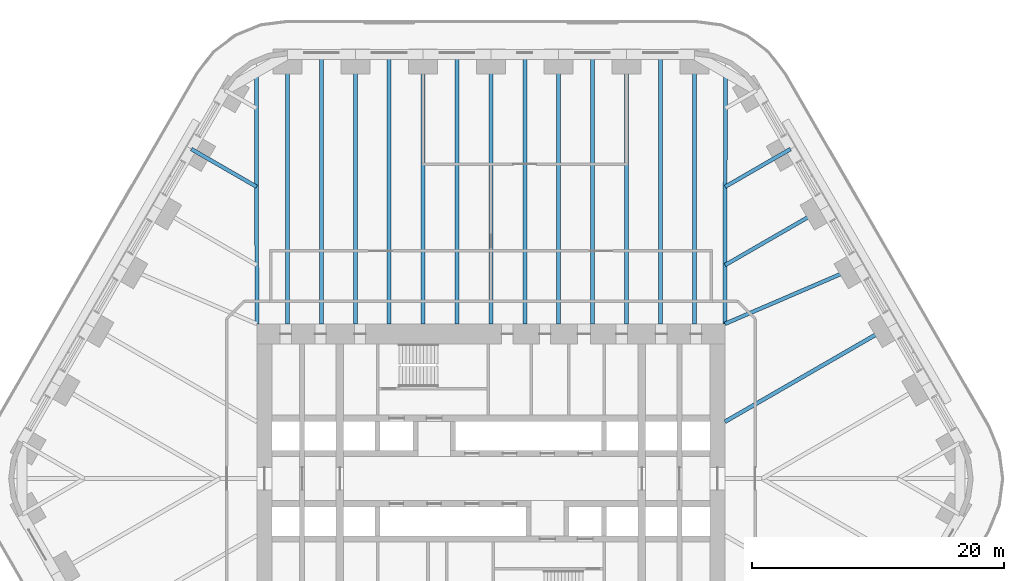
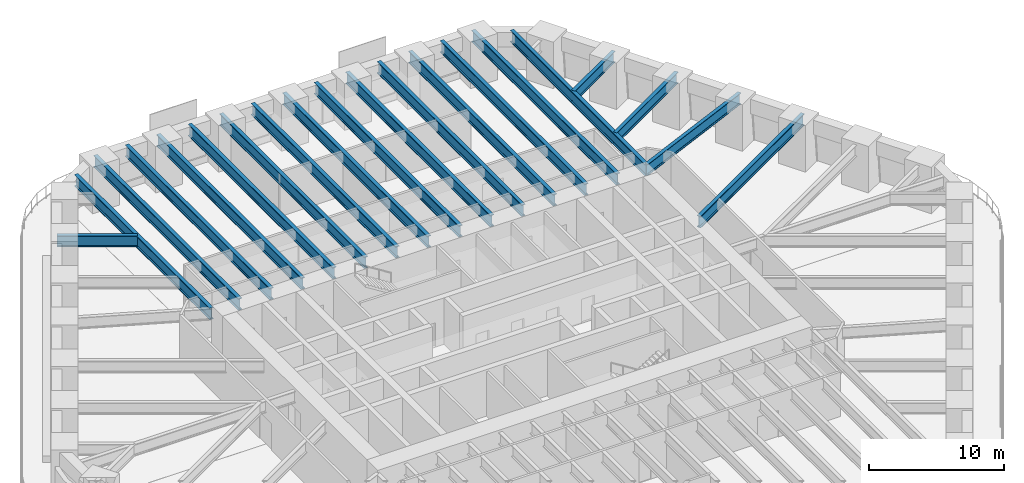
# One storey, part 10 of 23: 20 beams.
"""IFC4 building model written with IfcOpenShell, lengths in metres."""

import ifcopenshell
import ifcopenshell.guid

model = None  # the IFC model being written
_history = None  # IfcOwnerHistory: only IFC2X3 demands one
_inside = {}  # id of a spatial element -> (the spatial element, [elements in it])
_under = {}  # id of a project, library or spatial element -> (it, [spatial elements below it])
_declared = {}  # id of a project -> (the project, [libraries it declares])
_typed = {}  # id of a type object -> (the type object, [elements of that type])
_made_of = {}  # id of a material, layer set ... -> (it, [elements and type objects made of it])


def new_model(schema):
    """Start an empty IFC model of exactly this schema.

    Asked for "IFC4X3", IfcOpenShell would pick the latest addendum, in which some entities
    have other attributes; the version numbers below select the first issue.
    IFC2X3 requires an IfcOwnerHistory on every rooted entity: one is made here for all.
    """
    global model, _history
    if schema == "IFC4X3":
        model = ifcopenshell.file(schema_version=(4, 3, 0, 0))
    else:
        model = ifcopenshell.file(schema=schema)
    _inside.clear()
    _under.clear()
    _declared.clear()
    _typed.clear()
    _made_of.clear()
    _history = None
    if model.schema == "IFC2X3":
        org = make("IfcOrganization", Name="unknown")
        user = make(
            "IfcPersonAndOrganization",
            ThePerson=make("IfcPerson", FamilyName="unknown"),
            TheOrganization=org,
        )
        app = make(
            "IfcApplication",
            ApplicationDeveloper=org,
            Version="unknown",
            ApplicationFullName="unknown",
            ApplicationIdentifier="unknown",
        )
        _history = make(
            "IfcOwnerHistory",
            OwningUser=user,
            OwningApplication=app,
            ChangeAction="ADDED",
            CreationDate=0,
        )
    return model


def make(cls, **values):
    """One entity of the class cls with the attributes given. An attribute that is None is left unset."""
    return model.create_entity(
        cls, **{name: value for name, value in values.items() if value is not None}
    )


def rooted(cls, **values):
    """An entity with a GlobalId (a new one), such as an element, a storey or a relation."""
    return make(cls, GlobalId=ifcopenshell.guid.new(), OwnerHistory=_history, **values)


def si_unit(unit_type, name, prefix=None):
    """IfcSIUnit, for example si_unit("LENGTHUNIT", "METRE", prefix="MILLI")."""
    return make("IfcSIUnit", UnitType=unit_type, Prefix=prefix, Name=name)


def assignment(units):
    """IfcUnitAssignment: the units of a project."""
    return None if units is None else make("IfcUnitAssignment", Units=units)


def point(xyz):
    """IfcCartesianPoint."""
    return None if xyz is None else make("IfcCartesianPoint", Coordinates=xyz)


def direction(xyz):
    """IfcDirection."""
    return None if xyz is None else make("IfcDirection", DirectionRatios=xyz)


def frame(location, z_axis=None, x_axis=None):
    """IfcAxis2Placement3D, a coordinate frame: its origin and axes. An axis left out is left unset."""
    return make(
        "IfcAxis2Placement3D",
        Location=point(location),
        Axis=direction(z_axis),
        RefDirection=direction(x_axis),
    )


def frame_2d(location, x_axis=None):
    """IfcAxis2Placement2D, a coordinate frame in the plane: its origin and x axis."""
    return make(
        "IfcAxis2Placement2D", Location=point(location), RefDirection=direction(x_axis)
    )


def origin():
    """The frame at (0, 0, 0) with its axes left unset."""
    return frame((0.0, 0.0, 0.0))


def origin_2d():
    """The frame at (0, 0) in the plane with its x axis left unset."""
    return frame_2d((0.0, 0.0))


def place(relative_to, where):
    """IfcLocalPlacement: puts the frame where relative to a parent placement (None: the world)."""
    return make(
        "IfcLocalPlacement", PlacementRelTo=relative_to, RelativePlacement=where
    )


def context(
    kind, dimensions, precision=None, world=None, true_north=None, identifier=None
):
    """IfcGeometricRepresentationContext, for example the 3D "Model" context."""
    return make(
        "IfcGeometricRepresentationContext",
        ContextIdentifier=identifier,
        ContextType=kind,
        CoordinateSpaceDimension=dimensions,
        Precision=precision,
        WorldCoordinateSystem=world,
        TrueNorth=true_north,
    )


def subcontext(parent, identifier, kind, view, scale=None):
    """IfcGeometricRepresentationSubContext, for example "Body" below "Model"."""
    return make(
        "IfcGeometricRepresentationSubContext",
        ContextIdentifier=identifier,
        ContextType=kind,
        ParentContext=parent,
        TargetScale=scale,
        TargetView=view,
    )


def project(units=None, contexts=None):
    """IfcProject with its units and contexts."""
    return rooted(
        "IfcProject",
        Name="project",
        RepresentationContexts=contexts,
        UnitsInContext=assignment(units),
    )


def spatial(cls, under=None, at=None, **own):
    """A site, building, storey or space (cls), placed at a placement, below another one or the project."""
    s = rooted(cls, ObjectPlacement=at, **own)
    if under is not None:
        _under.setdefault(under.id(), (under, []))[1].append(s)
    return s


def profile(cls, at=None, kind="AREA", **sizes):
    """A parametric profile (cls). Its sizes go by their IFC names, for example OverallWidth=200.0."""
    return make(cls, ProfileType=kind, Position=at, **sizes)


def i_section(**sizes):
    """IfcIShapeProfileDef."""
    return profile("IfcIShapeProfileDef", **sizes)


def extrude(swept, where, along, depth):
    """IfcExtrudedAreaSolid: the profile swept, set in the frame where, extruded along a direction by depth."""
    return make(
        "IfcExtrudedAreaSolid",
        SweptArea=swept,
        Position=where,
        ExtrudedDirection=direction(along),
        Depth=depth,
    )


def shape(context_of_items, identifier, shape_type, items):
    """IfcShapeRepresentation: the items that make up one representation, for example the "Body"."""
    return make(
        "IfcShapeRepresentation",
        ContextOfItems=context_of_items,
        RepresentationIdentifier=identifier,
        RepresentationType=shape_type,
        Items=items,
    )


def material(Name=None, Category=None):
    """IfcMaterial."""
    return make("IfcMaterial", Name=Name, Category=Category)


def material_profile(
    of_material, cross_section, Name=None, Category=None, Priority=None
):
    """IfcMaterialProfile: a cross section and its material."""
    return make(
        "IfcMaterialProfile",
        Name=Name,
        Material=of_material,
        Profile=cross_section,
        Priority=Priority,
        Category=Category,
    )


def profile_set(profiles, Name=None, composite=None):
    """IfcMaterialProfileSet."""
    return make(
        "IfcMaterialProfileSet",
        Name=Name,
        MaterialProfiles=profiles,
        CompositeProfile=composite,
    )


def made_of(thing, what):
    """Note that an element or type object is made of a material, layer set ...; save() writes the relation."""
    if what is not None:
        _made_of.setdefault(what.id(), (what, []))[1].append(thing)
    return thing


def type_object(cls, material=None, **own):
    """A type object (cls), such as IfcWallType, which elements share."""
    return made_of(rooted(cls, **own), material)


def element(
    cls,
    number,
    at=None,
    inside=None,
    cuts=None,
    type_object=None,
    material=None,
    context=None,
    identifier="Body",
    shape_type=None,
    held_by="IfcProductDefinitionShape",
    body=None,
    shapes=None,
    **own,
):
    """One element of the class cls, such as IfcWall. Its Tag is "e" and its number.

    at: its placement. inside: the storey or other place that contains it. cuts: it is an
    opening in that element (IfcRelVoidsElement). A single representation is given by context,
    identifier, shape_type and body (its items); several are given by shapes. held_by: the class
    of the entity that holds the representations. save() writes the other relations.
    """
    e = rooted(cls, Tag="e%d" % number, ObjectPlacement=at, **own)
    if body is not None:
        shapes = [shape(context, identifier, shape_type, body)]
    if shapes is not None:
        e.Representation = make(held_by, Representations=shapes)
    if inside is not None:
        _inside.setdefault(inside.id(), (inside, []))[1].append(e)
    if cuts is not None:
        rooted(
            "IfcRelVoidsElement", RelatingBuildingElement=cuts, RelatedOpeningElement=e
        )
    if type_object is not None:
        _typed.setdefault(type_object.id(), (type_object, []))[1].append(e)
    return made_of(e, material)


def aggregate(whole, parts):
    """IfcRelAggregates: a whole, such as a stair, and the parts it consists of."""
    return rooted("IfcRelAggregates", RelatingObject=whole, RelatedObjects=parts)


def save(model, path):
    """Write the relations noted so far, then the file.

    IfcRelAggregates (storeys below a building ...), IfcRelContainedInSpatialStructure (elements
    in a storey), IfcRelDefinesByType, IfcRelAssociatesMaterial and IfcRelDeclares: one each for
    every whole, place, type object, material and project.
    """
    for whole, parts in _under.values():
        aggregate(whole, parts)
    for where, things in _inside.values():
        rooted(
            "IfcRelContainedInSpatialStructure",
            RelatedElements=things,
            RelatingStructure=where,
        )
    for kind, things in _typed.values():
        rooted("IfcRelDefinesByType", RelatedObjects=things, RelatingType=kind)
    for what, things in _made_of.values():
        rooted("IfcRelAssociatesMaterial", RelatedObjects=things, RelatingMaterial=what)
    for by, libraries in _declared.values():
        rooted("IfcRelDeclares", RelatingContext=by, RelatedDefinitions=libraries)
    model.write(path)


model = new_model("IFC4")

# Units and contexts
model_context = context("Model", 3, precision=1e-05, world=origin(), true_north=direction((0.0, 1.0)))
body_context = subcontext(model_context, "Body", "Model", "MODEL_VIEW")
ifc_project = project(units=[si_unit("LENGTHUNIT", "METRE"), si_unit("AREAUNIT", "SQUARE_METRE"), si_unit("VOLUMEUNIT", "CUBIC_METRE"), si_unit("PLANEANGLEUNIT", "RADIAN"), si_unit("MASSUNIT", "GRAM", prefix="KILO")], contexts=[model_context])

# Site, building, storey
site_placement = place(None, origin())
site = spatial("IfcSite", under=ifc_project, at=site_placement, CompositionType="ELEMENT")
building_placement = place(site_placement, origin())
building = spatial("IfcBuilding", under=site, at=building_placement, Name="Tarfa Lantern Tower", CompositionType="ELEMENT")
storey_placement = place(building_placement, frame((0.0, 0.0, 36.10009765625)))
storey = spatial("IfcBuildingStorey", under=building, at=storey_placement, Name="L07", CompositionType="ELEMENT", Elevation=36.10009765625)

# Beams
ifc_material = material(Name="Steel S460M", Category="steel")
ifc_material_profile_1 = material_profile(ifc_material, i_section(OverallWidth=0.302001953125, OverallDepth=1.008056640625, WebThickness=0.02099609375, FlangeThickness=0.0400390625, FilletRadius=0.030029296875, at=origin_2d()), Name="UB1016x305x349")
ifc_profile_set_1 = profile_set([ifc_material_profile_1], Name="Steel S460M")
beam_type_1 = type_object("IfcBeamType", Name="UB1016x305x349", PredefinedType="BEAM", material=ifc_profile_set_1)
beam_1_placement = place(storey_placement, frame((29.202392578125, 16.860107421875, 3.495849609375), z_axis=(-0.918635483867, -0.395106122175, 0.0), x_axis=(0.395106122175, -0.918635483867, 0.0)))
element("IfcBeam", 1, at=beam_1_placement, inside=storey, type_object=beam_type_1, Name="Floor beam NE3", PredefinedType="BEAM", context=body_context, shape_type="SweptSolid", body=[
    extrude(i_section(OverallWidth=0.302001953125, OverallDepth=1.008056640625, WebThickness=0.02099609375, FlangeThickness=0.0400390625, FilletRadius=0.030029296875, at=origin_2d()), origin(), (0.0, 0.0, 1.0), 11.541259765625),
])
beam_2_placement = place(storey_placement, frame((26.508056640625, 21.526611328125, 3.495849609375), z_axis=(-0.866035355799, -0.49998276221, 0.0), x_axis=(0.49998276221, -0.866035355799, 0.0)))
element("IfcBeam", 2, at=beam_2_placement, inside=storey, type_object=beam_type_1, Name="Floor beam NE4", PredefinedType="BEAM", context=body_context, shape_type="SweptSolid", body=[
    extrude(i_section(OverallWidth=0.302001953125, OverallDepth=1.008056640625, WebThickness=0.02099609375, FlangeThickness=0.0400390625, FilletRadius=0.030029296875, at=origin_2d()), origin(), (0.0, 0.0, 1.0), 9.119873046875),
])
for number, where, z_axis, x_axis, name in (
    (3, (23.813720703125, 26.193359375, 3.495849609375), (-0.866015997389, -0.500016292001, 0.0), (0.500016292001, -0.866015997389, 0.0), "Floor beam NE5"),
    (4, (-23.813720703125, 26.193359375, 3.495849609375), (0.866015997389, -0.500016292001, 0.0), (0.500016292001, 0.866015997389, 0.0), "Floor beam NW1"),
):
    element("IfcBeam", number, at=place(storey_placement, frame(where, z_axis=z_axis, x_axis=x_axis)), inside=storey, type_object=beam_type_1, Name=name, PredefinedType="BEAM", context=body_context, shape_type="SweptSolid", body=[
        extrude(i_section(OverallWidth=0.302001953125, OverallDepth=1.008056640625, WebThickness=0.02099609375, FlangeThickness=0.0400390625, FilletRadius=0.030029296875, at=origin_2d()), origin(), (0.0, 0.0, 1.0), 5.993408203125),
    ])
ifc_material_profile_2 = material_profile(ifc_material, i_section(OverallWidth=0.314208984375, OverallDepth=1.055908203125, WebThickness=0.035888671875, FlangeThickness=0.06396484375, FilletRadius=0.030029296875, at=origin_2d()), Name="UB1016x305x584")
ifc_profile_set_2 = profile_set([ifc_material_profile_2], Name="Steel S460M")
beam_type_2 = type_object("IfcBeamType", Name="UB1016x305x584", PredefinedType="BEAM", material=ifc_profile_set_2)
for number, where, z_axis, x_axis, name in (
    (5, (18.60009765625, 12.300048828125, 3.471923828125), (0.00212508222, 0.99999774201, 0.0), (-0.99999774201, 0.00212508222, 0.0), "Hip girder NE"),
    (6, (-18.60009765625, 12.300048828125, 3.471923828125), (-0.00212508222, 0.99999774201, 0.0), (-0.99999774201, -0.00212508222, 0.0), "Hip girder NW"),
):
    element("IfcBeam", number, at=place(storey_placement, frame(where, z_axis=z_axis, x_axis=x_axis)), inside=storey, type_object=beam_type_2, Name=name, PredefinedType="BEAM", context=body_context, shape_type="SweptSolid", body=[
        extrude(i_section(OverallWidth=0.314208984375, OverallDepth=1.055908203125, WebThickness=0.035888671875, FlangeThickness=0.06396484375, FilletRadius=0.030029296875, at=origin_2d()), origin(), (0.0, 0.0, 1.0), 19.989990234375),
    ])
beam_3_placement = place(storey_placement, frame((31.896728515625, 12.193359375, 3.471923828125), z_axis=(-0.866026971665, -0.499997284341, 0.0), x_axis=(0.499997284341, -0.866026971665, 0.0)))
element("IfcBeam", 7, at=beam_3_placement, inside=storey, type_object=beam_type_2, Name="Floor beam NE2", PredefinedType="BEAM", context=body_context, shape_type="SweptSolid", body=[
    extrude(i_section(OverallWidth=0.314208984375, OverallDepth=1.055908203125, WebThickness=0.035888671875, FlangeThickness=0.06396484375, FilletRadius=0.030029296875, at=origin_2d()), origin(), (0.0, 0.0, 1.0), 15.353515625),
])
for number, where, z_axis, x_axis, name in (
    (8, (16.165771484375, 33.719970703125, 3.471923828125), (0.0, -1.0, 0.0), (1.0, 0.0, 0.0), "Floor beam N0"),
    (9, (10.777099609375, 33.719970703125, 3.471923828125), (0.0, -1.0, 0.0), (1.0, 0.0, 0.0), "Floor beam N1"),
    (10, (5.388671875, 33.719970703125, 3.471923828125), (0.0, -1.0, 0.0), (1.0, 0.0, 0.0), "Floor beam N2"),
    (11, (0.0, 33.719970703125, 3.471923828125), (0.0, -1.0, 0.0), (1.0, 0.0, 0.0), "Floor beam N3"),
    (12, (-5.388671875, 33.719970703125, 3.471923828125), (0.0, -1.0, 0.0), (1.0, 0.0, 0.0), "Floor beam N4"),
    (13, (-10.777099609375, 33.719970703125, 3.471923828125), (0.0, -1.0, 0.0), (1.0, 0.0, 0.0), "Floor beam N5"),
    (14, (-16.165771484375, 33.719970703125, 3.471923828125), (0.0, -1.0, 0.0), (1.0, 0.0, 0.0), "Floor beam N6"),
    (15, (13.471435546875, 33.719970703125, 3.471923828125), (0.0, -1.0, 0.0), (1.0, 0.0, 0.0), "Floor beam N0M"),
    (16, (8.0830078125, 33.719970703125, 3.471923828125), (0.0, -1.0, 0.0), (1.0, 0.0, 0.0), "Floor beam N1M"),
    (17, (2.6943359375, 33.719970703125, 3.471923828125), (0.0, -1.0, 0.0), (1.0, 0.0, 0.0), "Floor beam N2M"),
    (18, (-2.6943359375, 33.719970703125, 3.471923828125), (0.0, -1.0, 0.0), (1.0, 0.0, 0.0), "Floor beam N3M"),
    (19, (-8.0830078125, 33.719970703125, 3.471923828125), (0.0, -1.0, 0.0), (1.0, 0.0, 0.0), "Floor beam N4M"),
    (20, (-13.471435546875, 33.719970703125, 3.471923828125), (0.0, -1.0, 0.0), (1.0, 0.0, 0.0), "Floor beam N5M"),
):
    element("IfcBeam", number, at=place(storey_placement, frame(where, z_axis=z_axis, x_axis=x_axis)), inside=storey, type_object=beam_type_2, Name=name, PredefinedType="BEAM", context=body_context, shape_type="SweptSolid", body=[
        extrude(i_section(OverallWidth=0.314208984375, OverallDepth=1.055908203125, WebThickness=0.035888671875, FlangeThickness=0.06396484375, FilletRadius=0.030029296875, at=origin_2d()), origin(), (0.0, 0.0, 1.0), 21.419921875),
    ])

save(model, "model.ifc")
